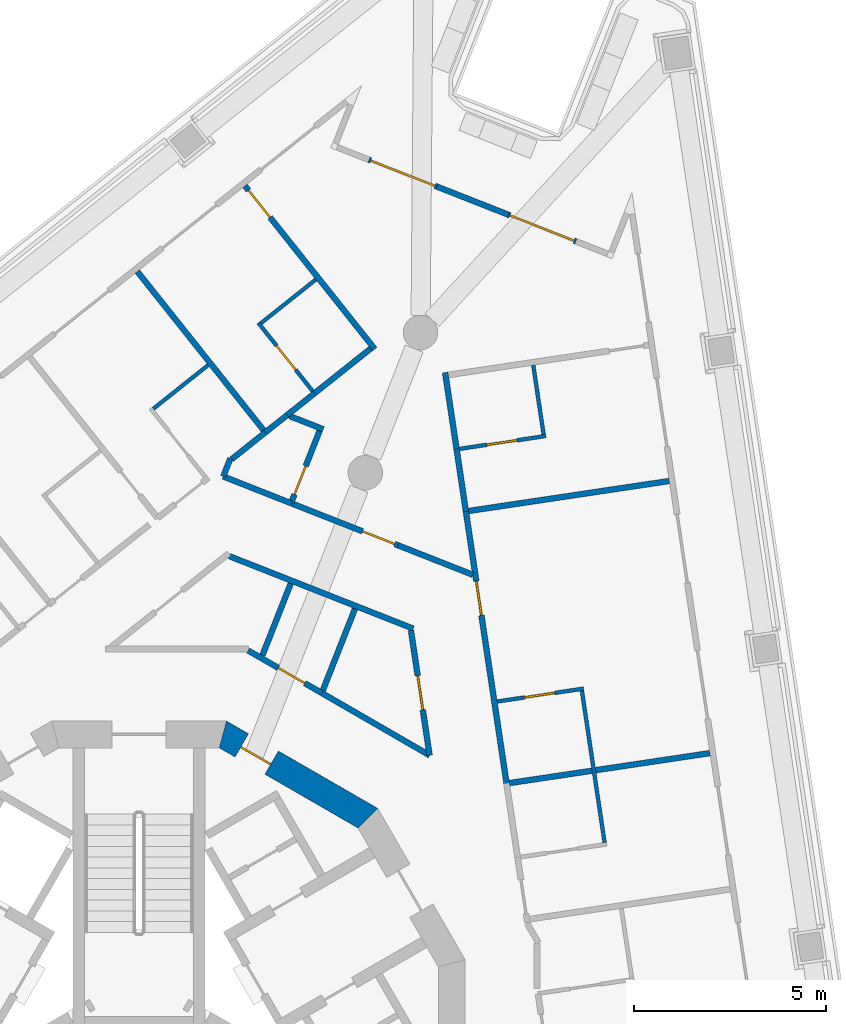
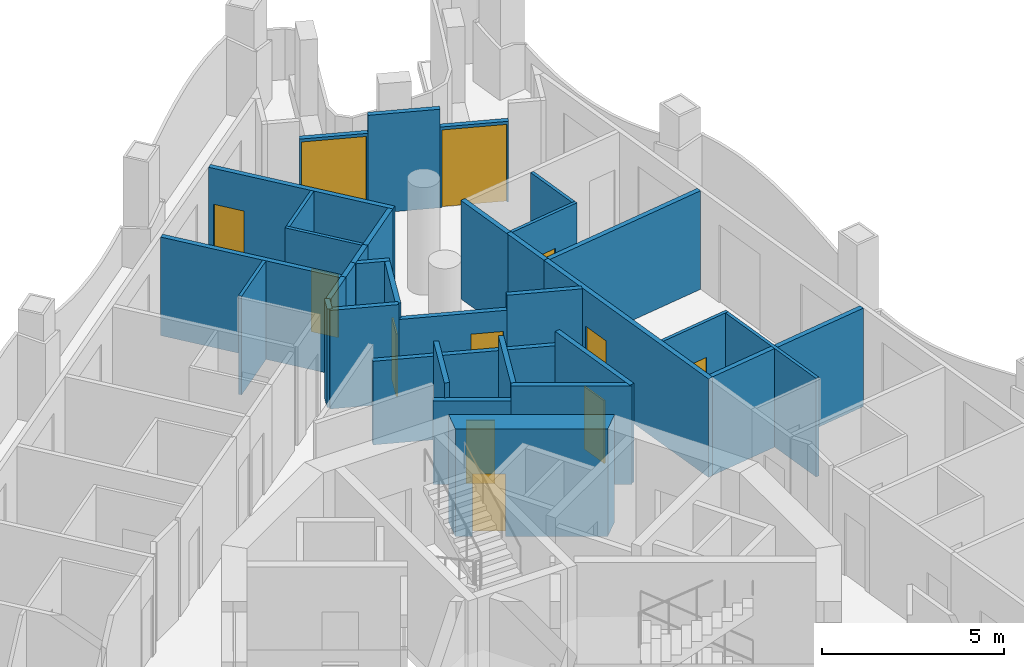
# One storey, part 9 of 17: 34 walls, 12 doors, 12 openings.
"""IFC4 building model written with IfcOpenShell, lengths in metres."""

from ifc_helpers import new_model, si_unit, direction, frame, frame_2d, origin, place, context, subcontext, project, spatial, polyline, rectangle, outline, extrude, material, layer, layer_set, type_object, element, fill, save


model = new_model("IFC4")

# Units and contexts
model_context = context("Model", 3, precision=1e-05, world=origin(), true_north=direction((0.0, 1.0)))
body_context = subcontext(model_context, "Body", "Model", "MODEL_VIEW")
ifc_project = project(units=[si_unit("LENGTHUNIT", "METRE"), si_unit("AREAUNIT", "SQUARE_METRE"), si_unit("VOLUMEUNIT", "CUBIC_METRE"), si_unit("PLANEANGLEUNIT", "RADIAN"), si_unit("MASSUNIT", "GRAM", prefix="KILO")], contexts=[model_context])

# Site, building, storey
site_placement = place(None, origin())
site = spatial("IfcSite", under=ifc_project, at=site_placement, CompositionType="ELEMENT")
building_placement = place(site_placement, origin())
building = spatial("IfcBuilding", under=site, at=building_placement, Name="Trine Commons Tower", CompositionType="ELEMENT")
storey_placement = place(building_placement, frame((0.0, 0.0, 212.39990234375)))
storey = spatial("IfcBuildingStorey", under=building, at=storey_placement, Name="L55", CompositionType="ELEMENT", Elevation=212.39990234375)

# Wall, opening, door
ifc_material_1 = material(Name="Aluminium-framed insulated wall panel", Category="aluminium")
ifc_layer_1 = layer(ifc_material_1, 0.14990234375)
ifc_layer_set_1 = layer_set([ifc_layer_1], Name="Aluminium-framed insulated wall panel")
wall_type_1 = type_object("IfcWallType", Name="Glazed frame wall 150, EI 60", PredefinedType="SOLIDWALL", material=ifc_layer_set_1)
wall_1_placement = place(storey_placement, frame((85.99365234375, 85.628662109375, 0.0), z_axis=(0.0, 0.0, 1.0), x_axis=(0.930387146689, -0.366578446279, 0.0)))
wall_1 = element("IfcWall", 1, at=wall_1_placement, inside=storey, type_object=wall_type_1, Name="Glazed frame wall P1.2", PredefinedType="SOLIDWALL", context=body_context, shape_type="SweptSolid", body=[
    extrude(outline(polyline([(0.0, -0.074951171875), (1.89990234375, -0.074951171875), (1.89990234375, 0.074951171875), (0.0, 0.074951171875), (0.0, -0.074951171875)])), origin(), (0.0, 0.0, 1.0), 2.7001953125),
])
opening_1_placement = place(wall_1_placement, frame((0.050048828125, 0.0, 0.0)))
opening_1 = element("IfcOpeningElement", 2, at=opening_1_placement, cuts=wall_1, Name="Opening BD-6P1-01", PredefinedType="OPENING", context=body_context, shape_type="SweptSolid", body=[
    extrude(rectangle(XDim=1.800048828125, YDim=2.60009765625, at=frame_2d((0.89990234375, 1.300048828125))), frame((0.0, 0.0849609375, 0.0), z_axis=(0.0, -1.0, 0.0), x_axis=(1.0, 0.0, 0.0)), (0.0, 0.0, 1.0), 0.169921875),
])
ifc_material_2 = material(Name="Anodised aluminium frame with double glazing", Category="aluminium")
door_type_1 = type_object("IfcDoorType", Name="Sliding loggia door 1800x2600", OperationType="SLIDING_TO_LEFT", PredefinedType="DOOR", material=ifc_material_2)
door_1_placement = place(opening_1_placement, origin())
door_1 = element("IfcDoor", 3, at=door_1_placement, inside=storey, type_object=door_type_1, Name="Loggia door P1 1", OperationType="SLIDING_TO_LEFT", OverallHeight=2.60009765625, OverallWidth=1.800048828125, PredefinedType="DOOR", context=body_context, shape_type="SweptSolid", body=[
    extrude(rectangle(XDim=1.800048828125, YDim=2.60009765625, at=frame_2d((0.89990234375, 1.300048828125))), frame((0.0, 0.02490234375, 0.0), z_axis=(0.0, -1.0, 0.0), x_axis=(1.0, 0.0, 0.0)), (0.0, 0.0, 1.0), 0.050048828125),
])
fill(opening_1, door_1)

# Wall
wall_2_placement = place(storey_placement, frame((87.761474609375, 84.93212890625, 0.0), z_axis=(0.0, 0.0, 1.0), x_axis=(0.930433620143, -0.366460473323, 0.0)))
element("IfcWall", 4, at=wall_2_placement, inside=storey, type_object=wall_type_1, Name="Glazed frame wall P1.3", PredefinedType="SOLIDWALL", context=body_context, shape_type="SweptSolid", body=[
    extrude(outline(polyline([(0.0, -0.074951171875), (2.0, -0.074951171875), (2.0, 0.074951171875), (0.0, 0.074951171875), (0.0, -0.074951171875)])), origin(), (0.0, 0.0, 1.0), 3.300048828125),
])

# Wall, opening, door
wall_3_placement = place(storey_placement, frame((89.622314453125, 84.19921875, 0.0), z_axis=(0.0, 0.0, 1.0), x_axis=(0.930387146689, -0.366578446279, 0.0)))
wall_3 = element("IfcWall", 5, at=wall_3_placement, inside=storey, type_object=wall_type_1, Name="Glazed frame wall P1.4", PredefinedType="SOLIDWALL", context=body_context, shape_type="SweptSolid", body=[
    extrude(outline(polyline([(0.0, -0.074951171875), (1.89990234375, -0.074951171875), (1.89990234375, 0.074951171875), (0.0, 0.074951171875), (0.0, -0.074951171875)])), origin(), (0.0, 0.0, 1.0), 2.7001953125),
])
opening_2_placement = place(wall_3_placement, frame((0.050048828125, 0.0, 0.0)))
opening_2 = element("IfcOpeningElement", 6, at=opening_2_placement, cuts=wall_3, Name="Opening BD-6P1-02", PredefinedType="OPENING", context=body_context, shape_type="SweptSolid", body=[
    extrude(rectangle(XDim=1.800048828125, YDim=2.60009765625, at=frame_2d((0.89990234375, 1.300048828125))), frame((0.0, 0.0849609375, 0.0), z_axis=(0.0, -1.0, 0.0), x_axis=(1.0, 0.0, 0.0)), (0.0, 0.0, 1.0), 0.169921875),
])
door_2_placement = place(opening_2_placement, origin())
door_2 = element("IfcDoor", 7, at=door_2_placement, inside=storey, type_object=door_type_1, Name="Loggia door P1 2", OperationType="SLIDING_TO_LEFT", OverallHeight=2.60009765625, OverallWidth=1.800048828125, PredefinedType="DOOR", context=body_context, shape_type="SweptSolid", body=[
    extrude(rectangle(XDim=1.800048828125, YDim=2.60009765625, at=frame_2d((0.89990234375, 1.300048828125))), frame((0.0, 0.02490234375, 0.0), z_axis=(0.0, -1.0, 0.0), x_axis=(1.0, 0.0, 0.0)), (0.0, 0.0, 1.0), 0.050048828125),
])
fill(opening_2, door_2)

ifc_material_3 = material(Name="Concrete C60/75", Category="concrete")
ifc_layer_2 = layer(ifc_material_3, 0.699951171875)
ifc_layer_set_2 = layer_set([ifc_layer_2], Name="Concrete C60/75")
wall_type_2 = type_object("IfcWallType", Name="RC shear wall 700 mm, C60/75", PredefinedType="SHEAR", material=ifc_layer_set_2)
wall_4_placement = place(storey_placement, frame((86.047607421875, 68.41943359375, 0.0), z_axis=(0.0, 0.0, 1.0), x_axis=(-0.866034756103, 0.499983800959, 0.0)))
wall_4 = element("IfcWall", 8, at=wall_4_placement, inside=storey, type_object=wall_type_2, Name="Core wall CWF-03 L55", PredefinedType="SHEAR", context=body_context, shape_type="SweptSolid", body=[
    extrude(outline(polyline([(0.0, -0.35009765625), (4.55517578125, -0.35009765625), (4.36767578125, 0.35009765625), (0.1875, 0.35009765625), (0.0, -0.35009765625)])), origin(), (0.0, 0.0, 1.0), 3.60009765625),
])
opening_3_placement = place(wall_4_placement, frame((2.990966796875, 0.0, 0.0)))
opening_3 = element("IfcOpeningElement", 9, at=opening_3_placement, cuts=wall_4, Name="Opening K15.14", PredefinedType="OPENING", context=body_context, shape_type="SweptSolid", body=[
    extrude(rectangle(XDim=0.89990234375, YDim=2.10009765625, at=frame_2d((0.449951171875, 1.050048828125))), frame((0.0, 0.35986328125, 0.0), z_axis=(0.0, -1.0, 0.0), x_axis=(1.0, 0.0, 0.0)), (0.0, 0.0, 1.0), 0.719970703125),
])
ifc_material_4 = material(Name="Steel door leaf, fire-rated", Category="steel")
door_type_2 = type_object("IfcDoorType", Name="Core room door, single leaf 900 x 2100, FD30S", OperationType="SINGLE_SWING_LEFT", PredefinedType="DOOR", material=ifc_material_4)
door_3_placement = place(opening_3_placement, origin())
door_3 = element("IfcDoor", 10, at=door_3_placement, inside=storey, type_object=door_type_2, Name="Door to Core WC L55", OperationType="SINGLE_SWING_RIGHT", OverallHeight=2.10009765625, OverallWidth=0.89990234375, PredefinedType="DOOR", context=body_context, shape_type="SweptSolid", body=[
    extrude(rectangle(XDim=0.89990234375, YDim=2.10009765625, at=frame_2d((0.449951171875, 1.050048828125))), frame((0.0, 0.0751953125, 0.0), z_axis=(0.0, -1.0, 0.0), x_axis=(1.0, 0.0, 0.0)), (0.0, 0.0, 1.0), 0.050048828125),
])
fill(opening_3, door_3)

# Walls
ifc_material_5 = material(Name="Gypsum plasterboard on steel stud", Category="steel")
ifc_layer_3 = layer(ifc_material_5, 0.14990234375)
ifc_layer_set_3 = layer_set([ifc_layer_3], Name="Gypsum plasterboard on steel stud")
wall_type_3 = type_object("IfcWallType", Name="Unit and corridor wall 150 mm, EI 60", PredefinedType="PARTITIONING", material=ifc_layer_set_3)
wall_5_placement = place(storey_placement, frame((79.954833984375, 82.7177734375, 0.0), z_axis=(0.0, 0.0, 1.0), x_axis=(0.622585933561, -0.782551439416, 0.0)))
element("IfcWall", 11, at=wall_5_placement, inside=storey, type_object=wall_type_3, Name="Partition 067", PredefinedType="PARTITIONING", context=body_context, shape_type="SweptSolid", body=[
    extrude(rectangle(XDim=5.28515625, YDim=0.14990234375, at=frame_2d((2.642578125, 0.0))), origin(), (0.0, 0.0, 1.0), 3.300048828125),
])
wall_6_placement = place(storey_placement, frame((82.19189453125, 77.3759765625, 0.0), z_axis=(0.0, 0.0, 1.0), x_axis=(0.93022308185, -0.366994574882, 0.0)))
element("IfcWall", 12, at=wall_6_placement, inside=storey, type_object=wall_type_3, Name="Partition 072", PredefinedType="PARTITIONING", context=body_context, shape_type="SweptSolid", body=[
    extrude(rectangle(XDim=1.9072265625, YDim=0.14990234375, at=frame_2d((0.95361328125, 0.0))), origin(), (0.0, 0.0, 1.0), 3.300048828125),
])
wall_7_placement = place(storey_placement, frame((82.196044921875, 77.3740234375, 0.0), z_axis=(0.0, 0.0, 1.0), x_axis=(0.36499763013, 0.931008447867, 0.0)))
element("IfcWall", 13, at=wall_7_placement, inside=storey, type_object=wall_type_3, Name="Partition 073", PredefinedType="PARTITIONING", context=body_context, shape_type="SweptSolid", body=[
    extrude(rectangle(XDim=0.507568359375, YDim=0.14990234375, at=frame_2d((0.25390625, 0.0))), origin(), (0.0, 0.0, 1.0), 3.300048828125),
])
wall_8_placement = place(storey_placement, frame((82.352783203125, 75.297607421875, 0.0), z_axis=(0.0, 0.0, 1.0), x_axis=(0.930366278921, -0.366631404883, 0.0)))
element("IfcWall", 14, at=wall_8_placement, inside=storey, type_object=wall_type_3, Name="Partition 074", PredefinedType="PARTITIONING", context=body_context, shape_type="SweptSolid", body=[
    extrude(rectangle(XDim=5.15283203125, YDim=0.14990234375, at=frame_2d((2.576416015625, 0.0))), origin(), (0.0, 0.0, 1.0), 2.800048828125),
])
wall_9_placement = place(storey_placement, frame((82.41259765625, 77.82373046875, 0.0), z_axis=(0.0, 0.0, 1.0), x_axis=(0.782730966136, 0.622360212941, 0.0)))
element("IfcWall", 15, at=wall_9_placement, inside=storey, type_object=wall_type_3, Name="Partition 075", PredefinedType="PARTITIONING", context=body_context, shape_type="SweptSolid", body=[
    extrude(rectangle(XDim=1.12353515625, YDim=0.14990234375, at=frame_2d((0.561767578125, 0.0))), origin(), (0.0, 0.0, 1.0), 3.300048828125),
])

# Wall, opening, door
wall_10_placement = place(storey_placement, frame((82.761962890625, 84.94970703125, 0.0), z_axis=(0.0, 0.0, 1.0), x_axis=(0.622457280045, -0.782653776915, 0.0)))
wall_10 = element("IfcWall", 16, at=wall_10_placement, inside=storey, type_object=wall_type_3, Name="Partition 076", PredefinedType="PARTITIONING", context=body_context, shape_type="SweptSolid", body=[
    extrude(rectangle(XDim=5.4345703125, YDim=0.14990234375, at=frame_2d((2.71728515625, 0.0))), origin(), (0.0, 0.0, 1.0), 3.300048828125),
])
opening_4_placement = place(wall_10_placement, frame((0.14990234375, 0.0, 0.0)))
opening_4 = element("IfcOpeningElement", 17, at=opening_4_placement, cuts=wall_10, Name="Opening D-6B12", PredefinedType="OPENING", context=body_context, shape_type="SweptSolid", body=[
    extrude(rectangle(XDim=0.89990234375, YDim=2.10009765625, at=frame_2d((0.449951171875, 1.050048828125))), frame((0.0, 0.0849609375, 0.0), z_axis=(0.0, -1.0, 0.0), x_axis=(1.0, 0.0, 0.0)), (0.0, 0.0, 1.0), 0.169921875),
])
ifc_material_6 = material(Name="Timber fire door set", Category="wood")
door_type_3 = type_object("IfcDoorType", Name="Bedroom door 900 x 2100, FD30S", OperationType="NOTDEFINED", PredefinedType="DOOR", material=ifc_material_6)
door_4_placement = place(opening_4_placement, frame((0.89990234375, 0.0, 0.0), z_axis=(0.0, 0.0, 1.0), x_axis=(-1.0, 0.0, 0.0)))
door_4 = element("IfcDoor", 18, at=door_4_placement, inside=storey, type_object=door_type_3, Name="Door D-6B12", OperationType="SINGLE_SWING_RIGHT", OverallHeight=2.10009765625, OverallWidth=0.89990234375, PredefinedType="DOOR", context=body_context, shape_type="SweptSolid", body=[
    extrude(rectangle(XDim=0.89990234375, YDim=2.10009765625, at=frame_2d((0.449951171875, 1.050048828125))), frame((0.0, 0.02490234375, 0.0), z_axis=(0.0, -1.0, 0.0), x_axis=(1.0, 0.0, 0.0)), (0.0, 0.0, 1.0), 0.050048828125),
])
fill(opening_4, door_4)

wall_11_placement = place(storey_placement, frame((82.844970703125, 72.83740234375, 0.0), z_axis=(0.0, 0.0, 1.0), x_axis=(0.866095831631, -0.499877995546, 0.0)))
wall_11 = element("IfcWall", 19, at=wall_11_placement, inside=storey, type_object=wall_type_3, Name="Partition 077", PredefinedType="PARTITIONING", context=body_context, shape_type="SweptSolid", body=[
    extrude(rectangle(XDim=2.21923828125, YDim=0.14990234375, at=frame_2d((1.109619140625, 0.0))), origin(), (0.0, 0.0, 1.0), 2.800048828125),
])
opening_5_placement = place(wall_11_placement, frame((0.90576171875, 0.0, 0.0)))
opening_5 = element("IfcOpeningElement", 20, at=opening_5_placement, cuts=wall_11, Name="Opening D-6B34", PredefinedType="OPENING", context=body_context, shape_type="SweptSolid", body=[
    extrude(rectangle(XDim=0.800048828125, YDim=2.10009765625, at=frame_2d((0.39990234375, 1.050048828125))), frame((0.0, 0.0849609375, 0.0), z_axis=(0.0, -1.0, 0.0), x_axis=(1.0, 0.0, 0.0)), (0.0, 0.0, 1.0), 0.169921875),
])
ifc_material_7 = material(Name="Painted timber", Category="wood")
door_type_4 = type_object("IfcDoorType", Name="Toilet door 800 x 2100, NOT RATED", OperationType="NOTDEFINED", PredefinedType="DOOR", material=ifc_material_7)
door_5_placement = place(opening_5_placement, origin())
door_5 = element("IfcDoor", 21, at=door_5_placement, inside=storey, type_object=door_type_4, Name="Door D-6B34", OperationType="SINGLE_SWING_RIGHT", OverallHeight=2.10009765625, OverallWidth=0.800048828125, PredefinedType="DOOR", context=body_context, shape_type="SweptSolid", body=[
    extrude(rectangle(XDim=0.800048828125, YDim=2.10009765625, at=frame_2d((0.39990234375, 1.050048828125))), frame((0.0, 0.02490234375, 0.0), z_axis=(0.0, -1.0, 0.0), x_axis=(1.0, 0.0, 0.0)), (0.0, 0.0, 1.0), 0.050048828125),
])
fill(opening_5, door_5)

# Walls
wall_12_placement = place(storey_placement, frame((83.215576171875, 72.709716796875, 0.0), z_axis=(0.0, 0.0, 1.0), x_axis=(0.366603942192, 0.930377100733, 0.0)))
element("IfcWall", 22, at=wall_12_placement, inside=storey, type_object=wall_type_3, Name="Partition 082", PredefinedType="PARTITIONING", context=body_context, shape_type="SweptSolid", body=[
    extrude(rectangle(XDim=2.015869140625, YDim=0.14990234375, at=frame_2d((1.0078125, 0.0))), origin(), (0.0, 0.0, 1.0), 3.300048828125),
])
wall_13_placement = place(storey_placement, frame((83.2919921875, 78.52294921875, 0.0), z_axis=(0.0, 0.0, 1.0), x_axis=(0.782961678727, 0.622069939512, 0.0)))
element("IfcWall", 23, at=wall_13_placement, inside=storey, type_object=wall_type_3, Name="Partition 083", PredefinedType="PARTITIONING", context=body_context, shape_type="SweptSolid", body=[
    extrude(rectangle(XDim=0.726806640625, YDim=0.14990234375, at=frame_2d((0.36328125, 0.0))), origin(), (0.0, 0.0, 1.0), 3.300048828125),
])
wall_14_placement = place(storey_placement, frame((83.861083984375, 78.97509765625, 0.0), z_axis=(0.0, 0.0, 1.0), x_axis=(0.782589200168, 0.622538467712, 0.0)))
element("IfcWall", 24, at=wall_14_placement, inside=storey, type_object=wall_type_3, Name="Partition 084", PredefinedType="PARTITIONING", context=body_context, shape_type="SweptSolid", body=[
    extrude(rectangle(XDim=0.912109375, YDim=0.14990234375, at=frame_2d((0.4560546875, 0.0))), origin(), (0.0, 0.0, 1.0), 3.300048828125),
])
wall_15_placement = place(storey_placement, frame((83.930908203125, 78.947509765625, 0.0), z_axis=(0.0, 0.0, 1.0), x_axis=(0.930564496223, -0.366128008175, 0.0)))
element("IfcWall", 25, at=wall_15_placement, inside=storey, type_object=wall_type_3, Name="Partition 085", PredefinedType="PARTITIONING", context=body_context, shape_type="SweptSolid", body=[
    extrude(rectangle(XDim=0.936767578125, YDim=0.14990234375, at=frame_2d((0.46826171875, 0.0))), origin(), (0.0, 0.0, 1.0), 3.300048828125),
])

# Wall, opening, door
wall_16_placement = place(storey_placement, frame((83.962890625, 76.677978515625, 0.0), z_axis=(0.0, 0.0, 1.0), x_axis=(0.366688940458, 0.9303436037, 0.0)))
wall_16 = element("IfcWall", 26, at=wall_16_placement, inside=storey, type_object=wall_type_3, Name="Partition 086", PredefinedType="PARTITIONING", context=body_context, shape_type="SweptSolid", body=[
    extrude(rectangle(XDim=2.025390625, YDim=0.14990234375, at=frame_2d((1.0126953125, 0.0))), origin(), (0.0, 0.0, 1.0), 3.300048828125),
])
opening_6_placement = place(wall_16_placement, frame((0.24267578125, 0.0, 0.0)))
opening_6 = element("IfcOpeningElement", 27, at=opening_6_placement, cuts=wall_16, Name="Opening D-6B04", PredefinedType="OPENING", context=body_context, shape_type="SweptSolid", body=[
    extrude(rectangle(XDim=0.800048828125, YDim=2.10009765625, at=frame_2d((0.39990234375, 1.050048828125))), frame((0.0, 0.0849609375, 0.0), z_axis=(0.0, -1.0, 0.0), x_axis=(1.0, 0.0, 0.0)), (0.0, 0.0, 1.0), 0.169921875),
])
door_6_placement = place(opening_6_placement, origin())
door_6 = element("IfcDoor", 28, at=door_6_placement, inside=storey, type_object=door_type_4, Name="Door D-6B04", OperationType="SINGLE_SWING_LEFT", OverallHeight=2.10009765625, OverallWidth=0.800048828125, PredefinedType="DOOR", context=body_context, shape_type="SweptSolid", body=[
    extrude(rectangle(XDim=0.800048828125, YDim=2.10009765625, at=frame_2d((0.39990234375, 1.050048828125))), frame((0.0, 0.02490234375, 0.0), z_axis=(0.0, -1.0, 0.0), x_axis=(1.0, 0.0, 0.0)), (0.0, 0.0, 1.0), 0.050048828125),
])
fill(opening_6, door_6)

wall_17_placement = place(storey_placement, frame((83.97705078125, 76.672119140625, 0.0), z_axis=(0.0, 0.0, 1.0), x_axis=(0.930513911047, -0.36625655127, 0.0)))
wall_17 = element("IfcWall", 29, at=wall_17_placement, inside=storey, type_object=wall_type_3, Name="Partition 087", PredefinedType="PARTITIONING", context=body_context, shape_type="SweptSolid", body=[
    extrude(rectangle(XDim=2.987548828125, YDim=0.14990234375, at=frame_2d((1.49365234375, 0.0))), origin(), (0.0, 0.0, 1.0), 2.800048828125),
])
opening_7_placement = place(wall_17_placement, frame((1.987548828125, 0.0, 0.0)))
opening_7 = element("IfcOpeningElement", 30, at=opening_7_placement, cuts=wall_17, Name="Opening D-6B01", PredefinedType="OPENING", context=body_context, shape_type="SweptSolid", body=[
    extrude(rectangle(XDim=0.89990234375, YDim=2.10009765625, at=frame_2d((0.449951171875, 1.050048828125))), frame((0.0, 0.0849609375, 0.0), z_axis=(0.0, -1.0, 0.0), x_axis=(1.0, 0.0, 0.0)), (0.0, 0.0, 1.0), 0.169921875),
])
door_type_5 = type_object("IfcDoorType", Name="Cluster entrance door 900 x 2100, FD30S", OperationType="NOTDEFINED", PredefinedType="DOOR", material=ifc_material_6)
door_7_placement = place(opening_7_placement, origin())
door_7 = element("IfcDoor", 31, at=door_7_placement, inside=storey, type_object=door_type_5, Name="Door D-6B01", OperationType="SINGLE_SWING_RIGHT", OverallHeight=2.10009765625, OverallWidth=0.89990234375, PredefinedType="DOOR", context=body_context, shape_type="SweptSolid", body=[
    extrude(rectangle(XDim=0.89990234375, YDim=2.10009765625, at=frame_2d((0.449951171875, 1.050048828125))), frame((0.0, 0.02490234375, 0.0), z_axis=(0.0, -1.0, 0.0), x_axis=(1.0, 0.0, 0.0)), (0.0, 0.0, 1.0), 0.050048828125),
])
fill(opening_7, door_7)

# Walls
wall_18_placement = place(storey_placement, frame((84.52978515625, 79.5078125, 0.0), z_axis=(0.0, 0.0, 1.0), x_axis=(0.782680939845, 0.622423124894, 0.0)))
element("IfcWall", 32, at=wall_18_placement, inside=storey, type_object=wall_type_3, Name="Partition 088", PredefinedType="PARTITIONING", context=body_context, shape_type="SweptSolid", body=[
    extrude(rectangle(XDim=1.9287109375, YDim=0.14990234375, at=frame_2d((0.96435546875, 0.0))), origin(), (0.0, 0.0, 1.0), 3.300048828125),
])
wall_19_placement = place(storey_placement, frame((84.695068359375, 71.76953125, 0.0), z_axis=(0.0, 0.0, 1.0), x_axis=(0.865931444657, -0.500162706682, 0.0)))
element("IfcWall", 33, at=wall_19_placement, inside=storey, type_object=wall_type_3, Name="Partition 089", PredefinedType="PARTITIONING", context=body_context, shape_type="SweptSolid", body=[
    extrude(rectangle(XDim=3.328125, YDim=0.14990234375, at=frame_2d((1.6640625, 0.0))), origin(), (0.0, 0.0, 1.0), 3.300048828125),
])
wall_20_placement = place(storey_placement, frame((84.79150390625, 71.7998046875, 0.0), z_axis=(0.0, 0.0, 1.0), x_axis=(0.366597370472, 0.930379690214, 0.0)))
element("IfcWall", 34, at=wall_20_placement, inside=storey, type_object=wall_type_3, Name="Partition 090", PredefinedType="PARTITIONING", context=body_context, shape_type="SweptSolid", body=[
    extrude(rectangle(XDim=2.28564453125, YDim=0.14990234375, at=frame_2d((1.142822265625, 0.0))), origin(), (0.0, 0.0, 1.0), 3.300048828125),
])
wall_21_placement = place(storey_placement, frame((86.757080078125, 75.577880859375, 0.0), z_axis=(0.0, 0.0, 1.0), x_axis=(0.930326271928, -0.366732910659, 0.0)))
element("IfcWall", 35, at=wall_21_placement, inside=storey, type_object=wall_type_3, Name="Partition 098", PredefinedType="PARTITIONING", context=body_context, shape_type="SweptSolid", body=[
    extrude(rectangle(XDim=2.089599609375, YDim=0.14990234375, at=frame_2d((1.044921875, 0.0))), origin(), (0.0, 0.0, 1.0), 3.300048828125),
])

# Wall, opening, door
wall_22_placement = place(storey_placement, frame((87.088134765625, 73.36181640625, 0.0), z_axis=(0.0, 0.0, 1.0), x_axis=(0.147629393442, -0.989042750437, 0.0)))
wall_22 = element("IfcWall", 36, at=wall_22_placement, inside=storey, type_object=wall_type_3, Name="Partition 100", PredefinedType="PARTITIONING", context=body_context, shape_type="SweptSolid", body=[
    extrude(rectangle(XDim=3.291015625, YDim=0.14990234375, at=frame_2d((1.6455078125, 0.0))), origin(), (0.0, 0.0, 1.0), 3.300048828125),
])
opening_8_placement = place(wall_22_placement, frame((1.195556640625, 0.0, 0.0)))
opening_8 = element("IfcOpeningElement", 37, at=opening_8_placement, cuts=wall_22, Name="Opening D-6B31", PredefinedType="OPENING", context=body_context, shape_type="SweptSolid", body=[
    extrude(rectangle(XDim=0.89990234375, YDim=2.10009765625, at=frame_2d((0.449951171875, 1.050048828125))), frame((0.0, 0.0849609375, 0.0), z_axis=(0.0, -1.0, 0.0), x_axis=(1.0, 0.0, 0.0)), (0.0, 0.0, 1.0), 0.169921875),
])
door_type_6 = type_object("IfcDoorType", Name="Service door 900 x 2100, FD30S", OperationType="NOTDEFINED", PredefinedType="DOOR", material=ifc_material_6)
door_8_placement = place(opening_8_placement, frame((0.89990234375, 0.0, 0.0), z_axis=(0.0, 0.0, 1.0), x_axis=(-1.0, 0.0, 0.0)))
door_8 = element("IfcDoor", 38, at=door_8_placement, inside=storey, type_object=door_type_6, Name="Door D-6B31", OperationType="SINGLE_SWING_LEFT", OverallHeight=2.10009765625, OverallWidth=0.89990234375, PredefinedType="DOOR", context=body_context, shape_type="SweptSolid", body=[
    extrude(rectangle(XDim=0.89990234375, YDim=2.10009765625, at=frame_2d((0.449951171875, 1.050048828125))), frame((0.0, 0.02490234375, 0.0), z_axis=(0.0, -1.0, 0.0), x_axis=(1.0, 0.0, 0.0)), (0.0, 0.0, 1.0), 0.050048828125),
])
fill(opening_8, door_8)

# Walls
wall_23_placement = place(storey_placement, frame((87.97900390625, 80.084228515625, 0.0), z_axis=(0.0, 0.0, 1.0), x_axis=(0.147880939426, -0.989005170742, 0.0)))
element("IfcWall", 39, at=wall_23_placement, inside=storey, type_object=wall_type_3, Name="Partition 104", PredefinedType="PARTITIONING", context=body_context, shape_type="SweptSolid", body=[
    extrude(rectangle(XDim=2.07861328125, YDim=0.14990234375, at=frame_2d((1.039306640625, 0.0))), origin(), (0.0, 0.0, 1.0), 3.300048828125),
])
wall_24_placement = place(storey_placement, frame((88.278076171875, 78.0859375, 0.0), z_axis=(0.0, 0.0, 1.0), x_axis=(0.147546827558, -0.989055071105, 0.0)))
element("IfcWall", 40, at=wall_24_placement, inside=storey, type_object=wall_type_3, Name="Partition 107", PredefinedType="PARTITIONING", context=body_context, shape_type="SweptSolid", body=[
    extrude(rectangle(XDim=1.639892578125, YDim=0.14990234375, at=frame_2d((0.81982421875, 0.0))), origin(), (0.0, 0.0, 1.0), 3.300048828125),
])

# Wall, opening, door
wall_25_placement = place(storey_placement, frame((88.52001953125, 76.464111328125, 0.0), z_axis=(0.0, 0.0, 1.0), x_axis=(0.147843210757, -0.989010811383, 0.0)))
wall_25 = element("IfcWall", 41, at=wall_25_placement, inside=storey, type_object=wall_type_3, Name="Partition 108", PredefinedType="PARTITIONING", context=body_context, shape_type="SweptSolid", body=[
    extrude(rectangle(XDim=7.2509765625, YDim=0.14990234375, at=frame_2d((3.62548828125, 0.0))), origin(), (0.0, 0.0, 1.0), 3.300048828125),
])
opening_9_placement = place(wall_25_placement, frame((1.843505859375, 0.0, 0.0)))
opening_9 = element("IfcOpeningElement", 42, at=opening_9_placement, cuts=wall_25, Name="Opening D-6B14", PredefinedType="OPENING", context=body_context, shape_type="SweptSolid", body=[
    extrude(rectangle(XDim=0.89990234375, YDim=2.10009765625, at=frame_2d((0.449951171875, 1.050048828125))), frame((0.0, 0.0849609375, 0.0), z_axis=(0.0, -1.0, 0.0), x_axis=(1.0, 0.0, 0.0)), (0.0, 0.0, 1.0), 0.169921875),
])
door_9_placement = place(opening_9_placement, origin())
door_9 = element("IfcDoor", 43, at=door_9_placement, inside=storey, type_object=door_type_3, Name="Door D-6B14", OperationType="SINGLE_SWING_LEFT", OverallHeight=2.10009765625, OverallWidth=0.89990234375, PredefinedType="DOOR", context=body_context, shape_type="SweptSolid", body=[
    extrude(rectangle(XDim=0.89990234375, YDim=2.10009765625, at=frame_2d((0.449951171875, 1.050048828125))), frame((0.0, 0.02490234375, 0.0), z_axis=(0.0, -1.0, 0.0), x_axis=(1.0, 0.0, 0.0)), (0.0, 0.0, 1.0), 0.050048828125),
])
fill(opening_9, door_9)

# Walls
for number, where, z_axis, x_axis, name in (
    (44, (88.59423828125, 76.47509765625, 0.0), (0.0, 0.0, 1.0), (0.989020900083, 0.147775705715, 0.0), "Partition 109"),
    (45, (89.654296875, 69.382080078125, 0.0), (0.0, 0.0, 1.0), (0.989020900083, 0.147775705715, 0.0), "Partition 116"),
):
    element("IfcWall", number, at=place(storey_placement, frame(where, z_axis=z_axis, x_axis=x_axis)), inside=storey, type_object=wall_type_3, Name=name, PredefinedType="PARTITIONING", context=body_context, shape_type="SweptSolid", body=[
        extrude(rectangle(XDim=5.28515625, YDim=0.14990234375, at=frame_2d((2.642578125, 0.0))), origin(), (0.0, 0.0, 1.0), 3.300048828125),
    ])
ifc_layer_4 = layer(ifc_material_5, 0.10009765625)
ifc_layer_set_4 = layer_set([ifc_layer_4], Name="Gypsum plasterboard on steel stud")
wall_type_4 = type_object("IfcWallType", Name="Unit partition 100 mm, no rating", PredefinedType="PARTITIONING", material=ifc_layer_set_4)
wall_26_placement = place(storey_placement, frame((80.373046875, 79.14013671875, 0.0), z_axis=(0.0, 0.0, 1.0), x_axis=(0.782562542096, 0.622571977934, 0.0)))
element("IfcWall", 46, at=wall_26_placement, inside=storey, type_object=wall_type_4, Name="Partition 069", PredefinedType="PARTITIONING", context=body_context, shape_type="SweptSolid", body=[
    extrude(rectangle(XDim=1.824951171875, YDim=0.10009765625, at=frame_2d((0.91259765625, 0.0))), origin(), (0.0, 0.0, 1.0), 3.300048828125),
])

# Wall, opening, door
wall_27_placement = place(storey_placement, frame((83.10986328125, 81.380126953125, 0.0), z_axis=(0.0, 0.0, 1.0), x_axis=(0.622309897633, -0.782770969893, 0.0)))
wall_27 = element("IfcWall", 47, at=wall_27_placement, inside=storey, type_object=wall_type_4, Name="Partition 080", PredefinedType="PARTITIONING", context=body_context, shape_type="SweptSolid", body=[
    extrude(rectangle(XDim=2.274658203125, YDim=0.10009765625, at=frame_2d((1.13720703125, 0.0))), origin(), (0.0, 0.0, 1.0), 3.300048828125),
])
opening_10_placement = place(wall_27_placement, frame((0.76220703125, 0.0, 0.0)))
opening_10 = element("IfcOpeningElement", 48, at=opening_10_placement, cuts=wall_27, Name="Opening D-6B42", PredefinedType="OPENING", context=body_context, shape_type="SweptSolid", body=[
    extrude(rectangle(XDim=0.800048828125, YDim=2.10009765625, at=frame_2d((0.39990234375, 1.050048828125))), frame((0.0, 0.06005859375, 0.0), z_axis=(0.0, -1.0, 0.0), x_axis=(1.0, 0.0, 0.0)), (0.0, 0.0, 1.0), 0.1201171875),
])
door_type_7 = type_object("IfcDoorType", Name="Internal door 800 x 2100, NOT RATED", OperationType="NOTDEFINED", PredefinedType="DOOR", material=ifc_material_7)
door_10_placement = place(opening_10_placement, frame((0.800048828125, 0.0, 0.0), z_axis=(0.0, 0.0, 1.0), x_axis=(-1.0, 0.0, 0.0)))
door_10 = element("IfcDoor", 49, at=door_10_placement, inside=storey, type_object=door_type_7, Name="Door D-6B42", OperationType="SINGLE_SWING_LEFT", OverallHeight=2.10009765625, OverallWidth=0.800048828125, PredefinedType="DOOR", context=body_context, shape_type="SweptSolid", body=[
    extrude(rectangle(XDim=0.800048828125, YDim=2.10009765625, at=frame_2d((0.39990234375, 1.050048828125))), frame((0.0, 0.02490234375, 0.0), z_axis=(0.0, -1.0, 0.0), x_axis=(1.0, 0.0, 0.0)), (0.0, 0.0, 1.0), 0.050048828125),
])
fill(opening_10, door_10)

# Wall
wall_28_placement = place(storey_placement, frame((83.18017578125, 81.3720703125, 0.0), z_axis=(0.0, 0.0, 1.0), x_axis=(0.782562542096, 0.622571977934, 0.0)))
element("IfcWall", 50, at=wall_28_placement, inside=storey, type_object=wall_type_4, Name="Partition 081", PredefinedType="PARTITIONING", context=body_context, shape_type="SweptSolid", body=[
    extrude(rectangle(XDim=1.824951171875, YDim=0.10009765625, at=frame_2d((0.91259765625, 0.0))), origin(), (0.0, 0.0, 1.0), 3.300048828125),
])

# Wall, opening, door
wall_29_placement = place(storey_placement, frame((88.352294921875, 78.093017578125, 0.0), z_axis=(0.0, 0.0, 1.0), x_axis=(0.989007860101, 0.147862952286, 0.0)))
wall_29 = element("IfcWall", 51, at=wall_29_placement, inside=storey, type_object=wall_type_4, Name="Partition 106", PredefinedType="PARTITIONING", context=body_context, shape_type="SweptSolid", body=[
    extrude(rectangle(XDim=2.275146484375, YDim=0.10009765625, at=frame_2d((1.1376953125, 0.0))), origin(), (0.0, 0.0, 1.0), 3.300048828125),
])
opening_11_placement = place(wall_29_placement, frame((0.712646484375, 0.0, 0.0)))
opening_11 = element("IfcOpeningElement", 52, at=opening_11_placement, cuts=wall_29, Name="Opening D-6B43", PredefinedType="OPENING", context=body_context, shape_type="SweptSolid", body=[
    extrude(rectangle(XDim=0.800048828125, YDim=2.10009765625, at=frame_2d((0.39990234375, 1.050048828125))), frame((0.0, 0.06005859375, 0.0), z_axis=(0.0, -1.0, 0.0), x_axis=(1.0, 0.0, 0.0)), (0.0, 0.0, 1.0), 0.1201171875),
])
door_11_placement = place(opening_11_placement, frame((0.800048828125, 0.0, 0.0), z_axis=(0.0, 0.0, 1.0), x_axis=(-1.0, 0.0, 0.0)))
door_11 = element("IfcDoor", 53, at=door_11_placement, inside=storey, type_object=door_type_7, Name="Door D-6B43", OperationType="SINGLE_SWING_RIGHT", OverallHeight=2.10009765625, OverallWidth=0.800048828125, PredefinedType="DOOR", context=body_context, shape_type="SweptSolid", body=[
    extrude(rectangle(XDim=0.800048828125, YDim=2.10009765625, at=frame_2d((0.39990234375, 1.050048828125))), frame((0.0, 0.02490234375, 0.0), z_axis=(0.0, -1.0, 0.0), x_axis=(1.0, 0.0, 0.0)), (0.0, 0.0, 1.0), 0.050048828125),
])
fill(opening_11, door_11)

wall_30_placement = place(storey_placement, frame((89.336181640625, 71.508056640625, 0.0), z_axis=(0.0, 0.0, 1.0), x_axis=(0.989007860101, 0.147862952286, 0.0)))
wall_30 = element("IfcWall", 54, at=wall_30_placement, inside=storey, type_object=wall_type_4, Name="Partition 114", PredefinedType="PARTITIONING", context=body_context, shape_type="SweptSolid", body=[
    extrude(rectangle(XDim=2.275146484375, YDim=0.10009765625, at=frame_2d((1.1376953125, 0.0))), origin(), (0.0, 0.0, 1.0), 3.300048828125),
])
opening_12_placement = place(wall_30_placement, frame((0.712646484375, 0.0, 0.0)))
opening_12 = element("IfcOpeningElement", 55, at=opening_12_placement, cuts=wall_30, Name="Opening D-6B44", PredefinedType="OPENING", context=body_context, shape_type="SweptSolid", body=[
    extrude(rectangle(XDim=0.800048828125, YDim=2.10009765625, at=frame_2d((0.39990234375, 1.050048828125))), frame((0.0, 0.06005859375, 0.0), z_axis=(0.0, -1.0, 0.0), x_axis=(1.0, 0.0, 0.0)), (0.0, 0.0, 1.0), 0.1201171875),
])
door_12_placement = place(opening_12_placement, origin())
door_12 = element("IfcDoor", 56, at=door_12_placement, inside=storey, type_object=door_type_7, Name="Door D-6B44", OperationType="SINGLE_SWING_LEFT", OverallHeight=2.10009765625, OverallWidth=0.800048828125, PredefinedType="DOOR", context=body_context, shape_type="SweptSolid", body=[
    extrude(rectangle(XDim=0.800048828125, YDim=2.10009765625, at=frame_2d((0.39990234375, 1.050048828125))), frame((0.0, 0.02490234375, 0.0), z_axis=(0.0, -1.0, 0.0), x_axis=(1.0, 0.0, 0.0)), (0.0, 0.0, 1.0), 0.050048828125),
])
fill(opening_12, door_12)

# Walls
wall_31_placement = place(storey_placement, frame((90.276123046875, 80.27587890625, 0.0), z_axis=(0.0, 0.0, 1.0), x_axis=(0.14773187693, -0.989027447819, 0.0)))
element("IfcWall", 57, at=wall_31_placement, inside=storey, type_object=wall_type_4, Name="Partition 122", PredefinedType="PARTITIONING", context=body_context, shape_type="SweptSolid", body=[
    extrude(rectangle(XDim=1.824462890625, YDim=0.10009765625, at=frame_2d((0.912109375, 0.0))), origin(), (0.0, 0.0, 1.0), 3.300048828125),
])
wall_32_placement = place(storey_placement, frame((91.54443359375, 71.78759765625, 0.0), z_axis=(0.0, 0.0, 1.0), x_axis=(0.147767379107, -0.989022144177, 0.0)))
element("IfcWall", 58, at=wall_32_placement, inside=storey, type_object=wall_type_4, Name="Partition 132", PredefinedType="PARTITIONING", context=body_context, shape_type="SweptSolid", body=[
    extrude(rectangle(XDim=4.0, YDim=0.10009765625, at=frame_2d((2.0, 0.0))), origin(), (0.0, 0.0, 1.0), 3.300048828125),
])

save(model, "model.ifc")
